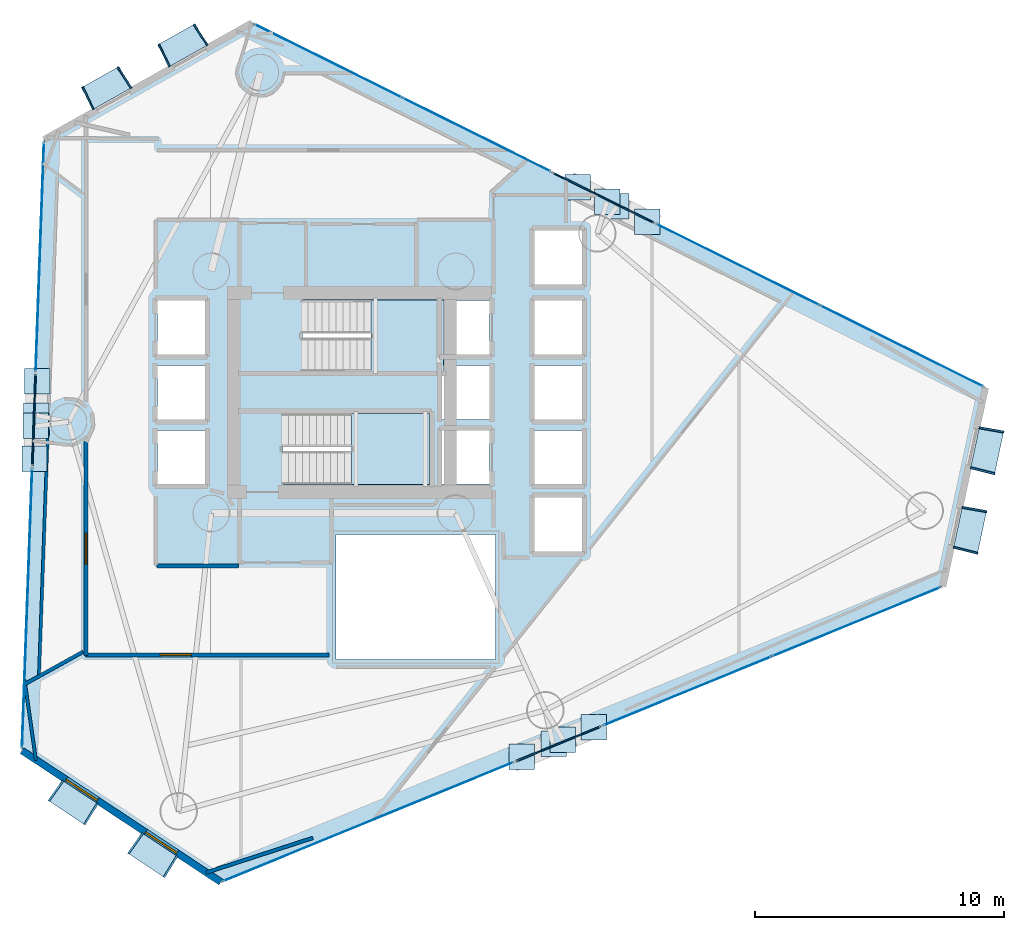
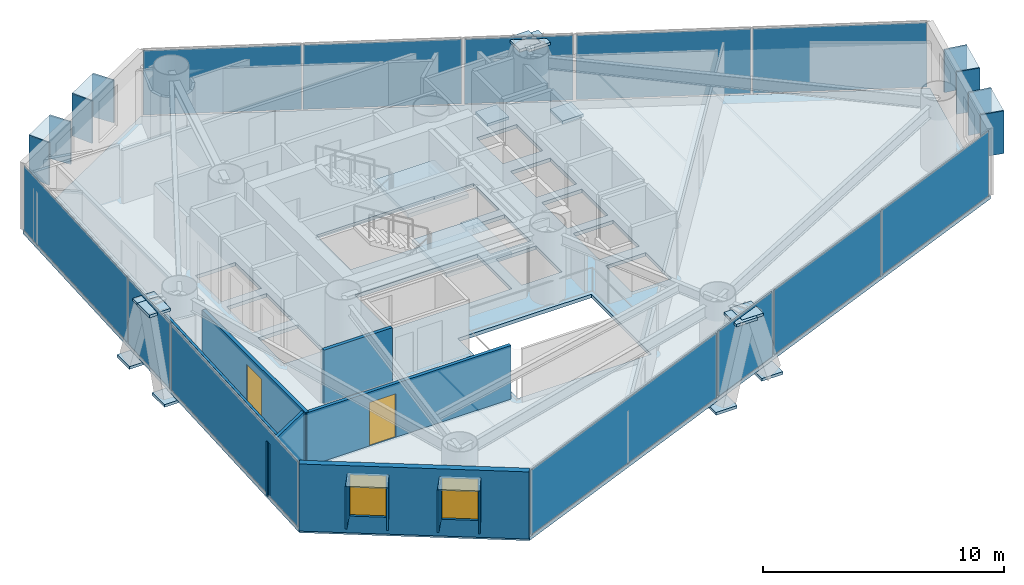
# One storey, part 16 of 22: 42 plates, 8 walls, 3 slabs, 2 doors, 2 windows, 4 openings, 11 elements without a shape of their own.
"""IFC4 building model written with IfcOpenShell, lengths in metres."""

from ifc_helpers import new_model, si_unit, direction, frame, frame_2d, origin, origin_2d, place, context, subcontext, project, spatial, polyline, rectangle, outline, extrude, material, layer, layer_set, type_object, element, fill, aggregate, save


model = new_model("IFC4")

# Units and contexts
model_context = context("Model", 3, precision=1e-05, world=origin(), true_north=direction((0.0, 1.0)))
body_context = subcontext(model_context, "Body", "Model", "MODEL_VIEW")
ifc_project = project(units=[si_unit("LENGTHUNIT", "METRE"), si_unit("AREAUNIT", "SQUARE_METRE"), si_unit("VOLUMEUNIT", "CUBIC_METRE"), si_unit("PLANEANGLEUNIT", "RADIAN"), si_unit("MASSUNIT", "GRAM", prefix="KILO")], contexts=[model_context])

# Site, building, storey
site_placement = place(None, origin())
site = spatial("IfcSite", under=ifc_project, at=site_placement, CompositionType="ELEMENT")
building_placement = place(site_placement, origin())
building = spatial("IfcBuilding", under=site, at=building_placement, Name="Qianvela Tower", CompositionType="ELEMENT")
storey_placement = place(building_placement, frame((0.0, 0.0, 134.800048828125)))
storey = spatial("IfcBuildingStorey", under=building, at=storey_placement, Name="L34", CompositionType="ELEMENT", Elevation=134.800048828125)

# Curtain wall, plate
ifc_material_1 = material(Name="Anodised Architectural Aluminium and Insulated Spandrel Panel", Category="aluminium")
ifc_layer_1 = layer(ifc_material_1, 0.179931640625)
ifc_layer_set_1 = layer_set([ifc_layer_1], Name="Anodised Architectural Aluminium and Insulated Spandrel Panel")
curtain_wall_type_1 = type_object("IfcCurtainWallType", Name="CW-BRACEBAY", PredefinedType="USERDEFINED", material=ifc_layer_set_1)
curtain_wall_1_placement = place(storey_placement, origin())
curtain_wall_1 = element("IfcCurtainWall", 1, at=curtain_wall_1_placement, inside=storey, type_object=curtain_wall_type_1, Name="L34 CW-BRACEBAY Curtain Wall 02B", ObjectType="CURTAIN_WALL_SYSTEM", PredefinedType="USERDEFINED")
ifc_material_2 = material(Name="Insulated Aluminium Spandrel Panel with Mineral-Wool Backpan", Category="aluminium")
ifc_layer_2 = layer(ifc_material_2, 0.06005859375)
ifc_layer_set_2 = layer_set([ifc_layer_2], Name="Insulated Aluminium Spandrel Panel with Mineral-Wool Backpan")
plate_type_1 = type_object("IfcPlateType", Name="CW-BRACEBAY-PNL", PredefinedType="CURTAIN_PANEL", material=ifc_layer_set_2)
plate_1_placement = place(storey_placement, frame((44.321533203125, 36.500244140625, 0.06494140625), z_axis=(0.0, 0.0, 1.0), x_axis=(-0.895454993127, 0.445152058609, 0.0)))
plate_1 = element("IfcPlate", 2, at=plate_1_placement, type_object=plate_type_1, Name="CW-9 panel 1.1", PredefinedType="CURTAIN_PANEL", context=body_context, shape_type="SweptSolid", body=[
    extrude(rectangle(XDim=4.510009765625, YDim=0.06005859375, at=origin_2d()), origin(), (0.0, 0.0, 1.0), 3.27001953125),
])
aggregate(curtain_wall_1, [plate_1])

curtain_wall_2_placement = place(storey_placement, origin())
curtain_wall_2 = element("IfcCurtainWall", 3, at=curtain_wall_2_placement, inside=storey, type_object=curtain_wall_type_1, Name="L34 CW-BRACEBAY Curtain Wall 04B", ObjectType="CURTAIN_WALL_SYSTEM", PredefinedType="USERDEFINED")
plate_2_placement = place(storey_placement, frame((21.4912109375, 27.591552734375, 0.06494140625), z_axis=(0.0, 0.0, 1.0), x_axis=(-0.036296385089, -0.99934106912, 0.0)))
plate_2 = element("IfcPlate", 4, at=plate_2_placement, type_object=plate_type_1, Name="CW-9 panel 1.1", PredefinedType="CURTAIN_PANEL", context=body_context, shape_type="SweptSolid", body=[
    extrude(rectangle(XDim=3.64990234375, YDim=0.06005859375, at=origin_2d()), origin(), (0.0, 0.0, 1.0), 3.27001953125),
])
aggregate(curtain_wall_2, [plate_2])

curtain_wall_3_placement = place(storey_placement, origin())
curtain_wall_3 = element("IfcCurtainWall", 5, at=curtain_wall_3_placement, inside=storey, type_object=curtain_wall_type_1, Name="L34 CW-BRACEBAY Curtain Wall 06B", ObjectType="CURTAIN_WALL_SYSTEM", PredefinedType="USERDEFINED")
plate_3_placement = place(storey_placement, frame((42.513427734375, 14.611328125, 0.06494140625), z_axis=(0.0, 0.0, 1.0), x_axis=(0.925389270903, 0.379018069883, 0.0)))
plate_3 = element("IfcPlate", 6, at=plate_3_placement, type_object=plate_type_1, Name="CW-9 panel 1.1", PredefinedType="CURTAIN_PANEL", context=body_context, shape_type="SweptSolid", body=[
    extrude(rectangle(XDim=3.650146484375, YDim=0.06005859375, at=origin_2d()), origin(), (0.0, 0.0, 1.0), 3.27001953125),
])
aggregate(curtain_wall_3, [plate_3])

# Curtain wall, plates
ifc_material_3 = material(Name="Anodised Architectural Aluminium and Low-E Glass", Category="aluminium")
ifc_layer_3 = layer(ifc_material_3, 0.169921875)
ifc_layer_set_3 = layer_set([ifc_layer_3], Name="Anodised Architectural Aluminium and Low-E Glass")
curtain_wall_type_2 = type_object("IfcCurtainWallType", Name="CW-COLIV-Z34", PredefinedType="USERDEFINED", material=ifc_layer_set_3)
curtain_wall_4_placement = place(storey_placement, origin())
curtain_wall_4 = element("IfcCurtainWall", 7, at=curtain_wall_4_placement, inside=storey, type_object=curtain_wall_type_2, Name="L34 CW-COLIV-Z34 Curtain Wall 02A", ObjectType="CURTAIN_WALL_SYSTEM", PredefinedType="USERDEFINED")
ifc_material_4 = material(Name="Double-Silver Low-E Insulated Glass", Category="glass")
ifc_layer_4 = layer(ifc_material_4, 0.028076171875)
ifc_layer_set_4 = layer_set([ifc_layer_4], Name="Double-Silver Low-E Insulated Glass")
plate_type_2 = type_object("IfcPlateType", Name="CW-COLIV-Z34-PNL", PredefinedType="CURTAIN_PANEL", material=ifc_layer_set_4)
plate_4_placement = place(storey_placement, frame((56.270263671875, 30.560302734375, 0.06494140625), z_axis=(0.0, 0.0, 1.0), x_axis=(-0.895456064023, 0.445149904419, 0.0)))
plate_4 = element("IfcPlate", 8, at=plate_4_placement, type_object=plate_type_2, Name="CW-4 panel 1.1", PredefinedType="CURTAIN_PANEL", context=body_context, shape_type="SweptSolid", body=[
    extrude(rectangle(XDim=7.262451171875, YDim=0.028076171875, at=origin_2d()), origin(), (0.0, 0.0, 1.0), 3.27001953125),
])
plate_5_placement = place(storey_placement, frame((49.708984375, 33.822021484375, 0.06494140625), z_axis=(0.0, 0.0, 1.0), x_axis=(-0.895456064023, 0.445149904419, 0.0)))
plate_5 = element("IfcPlate", 9, at=plate_5_placement, type_object=plate_type_2, Name="CW-4 panel 2.1", PredefinedType="CURTAIN_PANEL", context=body_context, shape_type="SweptSolid", body=[
    extrude(rectangle(XDim=7.262451171875, YDim=0.028076171875, at=origin_2d()), origin(), (0.0, 0.0, 1.0), 3.27001953125),
])
aggregate(curtain_wall_4, [plate_4, plate_5])

curtain_wall_5_placement = place(storey_placement, origin())
curtain_wall_5 = element("IfcCurtainWall", 10, at=curtain_wall_5_placement, inside=storey, type_object=curtain_wall_type_2, Name="L34 CW-COLIV-Z34 Curtain Wall 02C", ObjectType="CURTAIN_WALL_SYSTEM", PredefinedType="USERDEFINED")
plate_6_placement = place(storey_placement, frame((39.238525390625, 39.027099609375, 0.06494140625), z_axis=(0.0, 0.0, 1.0), x_axis=(-0.895457628831, 0.445146756664, 0.0)))
plate_6 = element("IfcPlate", 11, at=plate_6_placement, type_object=plate_type_2, Name="CW-4 panel 1.1", PredefinedType="CURTAIN_PANEL", context=body_context, shape_type="SweptSolid", body=[
    extrude(rectangle(XDim=6.583251953125, YDim=0.028076171875, at=origin_2d()), origin(), (0.0, 0.0, 1.0), 3.27001953125),
])
plate_7_placement = place(storey_placement, frame((33.285400390625, 41.986572265625, 0.06494140625), z_axis=(0.0, 0.0, 1.0), x_axis=(-0.895457628831, 0.445146756664, 0.0)))
plate_7 = element("IfcPlate", 12, at=plate_7_placement, type_object=plate_type_2, Name="CW-4 panel 2.1", PredefinedType="CURTAIN_PANEL", context=body_context, shape_type="SweptSolid", body=[
    extrude(rectangle(XDim=6.583251953125, YDim=0.028076171875, at=origin_2d()), origin(), (0.0, 0.0, 1.0), 3.27001953125),
])
aggregate(curtain_wall_5, [plate_6, plate_7])

# Curtain wall, plate
curtain_wall_6_placement = place(storey_placement, origin())
curtain_wall_6 = element("IfcCurtainWall", 13, at=curtain_wall_6_placement, inside=storey, type_object=curtain_wall_type_2, Name="L34 CW-COLIV-Z34 Curtain Wall 04A", ObjectType="CURTAIN_WALL_SYSTEM", PredefinedType="USERDEFINED")
plate_8_placement = place(storey_placement, frame((21.728515625, 34.127197265625, 0.06494140625), z_axis=(0.0, 0.0, 1.0), x_axis=(-0.03630134972, -0.99934088879, 0.0)))
plate_8 = element("IfcPlate", 14, at=plate_8_placement, type_object=plate_type_2, Name="CW-4 panel 1.1", PredefinedType="CURTAIN_PANEL", context=body_context, shape_type="SweptSolid", body=[
    extrude(rectangle(XDim=9.169921875, YDim=0.028076171875, at=origin_2d()), origin(), (0.0, 0.0, 1.0), 3.27001953125),
])
aggregate(curtain_wall_6, [plate_8])

curtain_wall_7_placement = place(storey_placement, origin())
curtain_wall_7 = element("IfcCurtainWall", 15, at=curtain_wall_7_placement, inside=storey, type_object=curtain_wall_type_2, Name="L34 CW-COLIV-Z34 Curtain Wall 04C", ObjectType="CURTAIN_WALL_SYSTEM", PredefinedType="USERDEFINED")
plate_9_placement = place(storey_placement, frame((21.21728515625, 20.047119140625, 0.06494140625), z_axis=(0.0, 0.0, 1.0), x_axis=(-0.036293416862, -0.999341176922, 0.0)))
plate_9 = element("IfcPlate", 16, at=plate_9_placement, type_object=plate_type_2, Name="CW-4 panel 1.1", PredefinedType="CURTAIN_PANEL", context=body_context, shape_type="SweptSolid", body=[
    extrude(rectangle(XDim=11.18896484375, YDim=0.028076171875, at=origin_2d()), origin(), (0.0, 0.0, 1.0), 3.27001953125),
])
aggregate(curtain_wall_7, [plate_9])

curtain_wall_8_placement = place(storey_placement, origin())
curtain_wall_8 = element("IfcCurtainWall", 17, at=curtain_wall_8_placement, inside=storey, type_object=curtain_wall_type_2, Name="L34 CW-COLIV-Z34 Curtain Wall 06A", ObjectType="CURTAIN_WALL_SYSTEM", PredefinedType="USERDEFINED")
plate_10_placement = place(storey_placement, frame((34.8974609375, 11.491943359375, 0.06494140625), z_axis=(0.0, 0.0, 1.0), x_axis=(0.925390222431, 0.379015746677, 0.0)))
plate_10 = element("IfcPlate", 18, at=plate_10_placement, type_object=plate_type_2, Name="CW-4 panel 1.1", PredefinedType="CURTAIN_PANEL", context=body_context, shape_type="SweptSolid", body=[
    extrude(rectangle(XDim=12.550048828125, YDim=0.028076171875, at=origin_2d()), origin(), (0.0, 0.0, 1.0), 3.27001953125),
])
aggregate(curtain_wall_8, [plate_10])

# Curtain wall, plates
curtain_wall_9_placement = place(storey_placement, origin())
curtain_wall_9 = element("IfcCurtainWall", 19, at=curtain_wall_9_placement, inside=storey, type_object=curtain_wall_type_2, Name="L34 CW-COLIV-Z34 Curtain Wall 06C", ObjectType="CURTAIN_WALL_SYSTEM", PredefinedType="USERDEFINED")
plate_11_placement = place(storey_placement, frame((47.67919921875, 16.72705078125, 0.06494140625), z_axis=(0.0, 0.0, 1.0), x_axis=(0.925387078817, 0.379023421912, 0.0)))
plate_11 = element("IfcPlate", 20, at=plate_11_placement, type_object=plate_type_2, Name="CW-4 panel 1.1", PredefinedType="CURTAIN_PANEL", context=body_context, shape_type="SweptSolid", body=[
    extrude(rectangle(XDim=7.25439453125, YDim=0.028076171875, at=origin_2d()), origin(), (0.0, 0.0, 1.0), 3.27001953125),
])
plate_12_placement = place(storey_placement, frame((54.452392578125, 19.501220703125, 0.06494140625), z_axis=(0.0, 0.0, 1.0), x_axis=(0.925387078817, 0.379023421912, 0.0)))
plate_12 = element("IfcPlate", 21, at=plate_12_placement, type_object=plate_type_2, Name="CW-4 panel 2.1", PredefinedType="CURTAIN_PANEL", context=body_context, shape_type="SweptSolid", body=[
    extrude(rectangle(XDim=7.25439453125, YDim=0.028076171875, at=origin_2d()), origin(), (0.0, 0.0, 1.0), 3.27001953125),
])
aggregate(curtain_wall_9, [plate_11, plate_12])

# Plates
ifc_material_5 = material(Name="Steel Q420GJC", Category="steel")
ifc_layer_5 = layer(ifc_material_5, 0.139892578125)
ifc_layer_set_5 = layer_set([ifc_layer_5], Name="Steel Q420GJC")
plate_type_3 = type_object("IfcPlateType", Name="PT-GUSSET-NODE-140", PredefinedType="USERDEFINED", material=ifc_layer_set_5)
for number, where, z_axis, x_axis, name in (
    (22, (46.0673828125, 35.54296875, -0.61279296875), (0.0, 0.0, 1.0), (1.0, 0.0, 0.0), "L34 Node Gusset Plate A"),
    (23, (44.831787109375, 36.1572265625, 3.0888671875), (0.0, 0.0, 1.0), (1.0, 0.0, 0.0), "L34 Node Gusset Plate B"),
    (24, (43.283203125, 36.927001953125, -0.61328125), (0.0, 0.0, 1.0), (1.0, 0.0, 0.0), "L34 Node Gusset Plate A"),
    (25, (44.477783203125, 36.3330078125, 3.08935546875), (0.0, 0.0, 1.0), (1.0, 0.0, 0.0), "L34 Node Gusset Plate B"),
    (26, (21.62744140625, 29.14013671875, -0.61279296875), (0.0, 0.0, 1.0), (1.0, 0.0, 0.0), "L34 Node Gusset Plate A"),
    (27, (21.577392578125, 27.7607421875, 3.0888671875), (0.0, 0.0, 1.0), (1.0, 0.0, 0.0), "L34 Node Gusset Plate B"),
    (28, (21.5146484375, 26.03271484375, -0.61328125), (0.0, 0.0, 1.0), (1.0, 0.0, 0.0), "L34 Node Gusset Plate A"),
    (29, (21.56298828125, 27.365478515625, 3.08935546875), (0.0, 0.0, 1.0), (1.0, 0.0, 0.0), "L34 Node Gusset Plate B"),
    (30, (41.044189453125, 14.095947265625, -0.61279296875), (0.0, 0.0, 1.0), (1.0, 0.0, 0.0), "L34 Node Gusset Plate A"),
    (31, (42.322509765625, 14.61962890625, 3.0888671875), (0.0, 0.0, 1.0), (1.0, 0.0, 0.0), "L34 Node Gusset Plate B"),
    (32, (43.921630859375, 15.2744140625, -0.61328125), (0.0, 0.0, 1.0), (1.0, 0.0, 0.0), "L34 Node Gusset Plate A"),
    (33, (42.688232421875, 14.76953125, 3.08935546875), (0.0, 0.0, 1.0), (1.0, 0.0, 0.0), "L34 Node Gusset Plate B"),
):
    element("IfcPlate", number, at=place(storey_placement, frame(where, z_axis=z_axis, x_axis=x_axis)), inside=storey, type_object=plate_type_3, Name=name, ObjectType="GUSSET_PLATE", PredefinedType="USERDEFINED", context=body_context, shape_type="SweptSolid", body=[
        extrude(rectangle(XDim=1.02001953125, YDim=1.02001953125, at=origin_2d()), origin(), (0.0, 0.0, 1.0), 0.139892578125),
    ])

# Slab
ifc_material_6 = material(Name="Concrete C40", Category="concrete")
ifc_layer_6 = layer(ifc_material_6, 0.179931640625)
ifc_layer_set_6 = layer_set([ifc_layer_6], Name="Concrete C40")
slab_type_1 = type_object("IfcSlabType", Name="SL-FLOOR-180", PredefinedType="FLOOR", material=ifc_layer_set_6)
slab_1_placement = place(storey_placement, frame((0.0, 0.0, -0.179931640625)))
element("IfcSlab", 34, at=slab_1_placement, inside=storey, type_object=slab_type_1, Name="L34 Composite Structural Floor Slab", PredefinedType="FLOOR", context=body_context, shape_type="SweptSolid", body=[
    extrude(outline(polyline([(57.915283203125, 20.919677734375), (59.625, 28.892578125), (30.23486328125, 43.5029296875), (21.899169921875, 38.82421875), (21.010009765625, 14.34130859375), (28.984375, 9.070068359375), (57.915283203125, 20.919677734375)]), holes=[polyline([(40.0, 23.0), (33.60009765625, 23.0), (33.60009765625, 18.0), (40.0, 18.0), (40.0, 23.0)]), polyline([(28.360107421875, 25.02001953125), (28.360107421875, 27.179931640625), (26.43994140625, 27.179931640625), (26.43994140625, 25.02001953125), (28.360107421875, 25.02001953125)]), polyline([(37.35009765625, 25.0), (37.35009765625, 27.860107421875), (31.469970703125, 27.860107421875), (31.469970703125, 25.0), (37.35009765625, 25.0)]), polyline([(28.360107421875, 27.6201171875), (28.360107421875, 29.780029296875), (26.43994140625, 29.780029296875), (26.43994140625, 27.6201171875), (28.360107421875, 27.6201171875)]), polyline([(37.89990234375, 32.3798828125), (37.89990234375, 32.39990234375), (32.25, 32.39990234375), (32.25, 29.5400390625), (37.840087890625, 29.5400390625), (37.840087890625, 27.6201171875), (39.760009765625, 27.6201171875), (39.760009765625, 29.780029296875), (37.89990234375, 29.780029296875), (37.89990234375, 30.219970703125), (39.760009765625, 30.219970703125), (39.760009765625, 32.3798828125), (37.89990234375, 32.3798828125)]), polyline([(28.360107421875, 30.219970703125), (28.360107421875, 32.3798828125), (26.43994140625, 32.3798828125), (26.43994140625, 30.219970703125), (28.360107421875, 30.219970703125)]), polyline([(43.4599609375, 24.47998046875), (41.5400390625, 24.47998046875), (41.5400390625, 22.320068359375), (43.4599609375, 22.320068359375), (43.4599609375, 24.47998046875)]), polyline([(39.760009765625, 25.02001953125), (39.760009765625, 27.179931640625), (37.840087890625, 27.179931640625), (37.840087890625, 25.02001953125), (39.760009765625, 25.02001953125)]), polyline([(43.4599609375, 25.02001953125), (43.4599609375, 27.179931640625), (41.5400390625, 27.179931640625), (41.5400390625, 25.02001953125), (43.4599609375, 25.02001953125)]), polyline([(43.4599609375, 27.6201171875), (43.4599609375, 29.780029296875), (41.5400390625, 29.780029296875), (41.5400390625, 27.6201171875), (43.4599609375, 27.6201171875)]), polyline([(43.4599609375, 30.219970703125), (43.4599609375, 32.3798828125), (41.5400390625, 32.3798828125), (41.5400390625, 30.219970703125), (43.4599609375, 30.219970703125)]), polyline([(43.4599609375, 33.02001953125), (43.4599609375, 35.179931640625), (41.5400390625, 35.179931640625), (41.5400390625, 33.02001953125), (43.4599609375, 33.02001953125)])]), origin(), (0.0, 0.0, 1.0), 0.179931640625),
])

# Stair, slab
ifc_material_7 = material(Name="Concrete C40", Category="concrete")
stair_type = type_object("IfcStairType", Name="ST-DOGLEG-1350-R168-N22", PredefinedType="HALF_TURN_STAIR", material=ifc_material_7)
stair_1_placement = place(storey_placement, origin())
stair_1 = element("IfcStair", 35, at=stair_1_placement, inside=storey, type_object=stair_type, Name="L34 Smoke-Proof Core Stair ST-1", PredefinedType="HALF_TURN_STAIR")
ifc_material_8 = material(Name="Concrete C40", Category="concrete")
ifc_layer_7 = layer(ifc_material_8, 0.199951171875)
ifc_layer_set_7 = layer_set([ifc_layer_7], Name="Concrete C40")
slab_type_2 = type_object("IfcSlabType", Name="SL-STAIR-LANDING-200", PredefinedType="LANDING", material=ifc_layer_set_7)
slab_2_placement = place(storey_placement, frame((0.0, 0.0, 1.64990234375)))
slab_2 = element("IfcSlab", 36, at=slab_2_placement, type_object=slab_type_2, Name="ST-1 landing 1", PredefinedType="LANDING", context=body_context, shape_type="SweptSolid", body=[
    extrude(outline(polyline([(35.0, 29.5400390625), (37.89990234375, 29.5400390625), (37.89990234375, 32.39990234375), (35.0, 32.39990234375), (35.0, 29.5400390625)])), origin(), (0.0, 0.0, 1.0), 0.199951171875),
])
aggregate(stair_1, [slab_2])

stair_2_placement = place(storey_placement, origin())
stair_2 = element("IfcStair", 37, at=stair_2_placement, inside=storey, type_object=stair_type, Name="L34 Smoke-Proof Core Stair ST-2", PredefinedType="HALF_TURN_STAIR")
slab_3_placement = place(storey_placement, frame((0.0, 0.0, 1.64990234375)))
slab_3 = element("IfcSlab", 38, at=slab_3_placement, type_object=slab_type_2, Name="ST-2 landing 1", PredefinedType="LANDING", context=body_context, shape_type="SweptSolid", body=[
    extrude(outline(polyline([(34.219970703125, 25.0), (37.35009765625, 25.0), (37.35009765625, 27.860107421875), (34.219970703125, 27.860107421875), (34.219970703125, 25.0)])), origin(), (0.0, 0.0, 1.0), 0.199951171875),
])
aggregate(stair_2, [slab_3])

# Plates
ifc_material_9 = material(Name="Vitrified Architectural Terracotta Panel", Category="masonry")
ifc_layer_8 = layer(ifc_material_9, 0.06005859375)
ifc_layer_set_8 = layer_set([ifc_layer_8], Name="Vitrified Architectural Terracotta Panel")
plate_type_4 = type_object("IfcPlateType", Name="TERRACOTTA-SUNSHADE-HOOD-FOLD-A", PredefinedType="USERDEFINED", material=ifc_layer_set_8)
for number, where, z_axis, x_axis, name in (
    (39, (27.44287109375, 42.6181640625, 2.9599609375), (0.0, 0.0, 1.0), (-0.872016311049, -0.48947681586, 0.0), "L34 Terracotta Sunshade Hood FOLD-A"),
    (40, (24.3876953125, 40.9033203125, 2.9599609375), (0.0, 0.0, 1.0), (-0.872016311049, -0.48947681586, 0.0), "L34 Terracotta Sunshade Hood FOLD-A"),
):
    element("IfcPlate", number, at=place(storey_placement, frame(where, z_axis=z_axis, x_axis=x_axis)), inside=storey, type_object=plate_type_4, Name=name, ObjectType="SUNSHADE", PredefinedType="USERDEFINED", context=body_context, shape_type="SweptSolid", body=[
        extrude(rectangle(XDim=1.739990234375, YDim=0.989990234375, at=origin_2d()), origin(), (0.0, 0.0, 1.0), 0.06005859375),
    ])
ifc_material_10 = material(Name="Vitrified Architectural Terracotta Panel", Category="masonry")
ifc_layer_9 = layer(ifc_material_10, 0.070068359375)
ifc_layer_set_9 = layer_set([ifc_layer_9], Name="Vitrified Architectural Terracotta Panel")
plate_type_5 = type_object("IfcPlateType", Name="TERRACOTTA-SUNSHADE-HOOD-FOLD-C", PredefinedType="USERDEFINED", material=ifc_layer_set_9)
for number, where, z_axis, x_axis, name in (
    (41, (59.010009765625, 23.186767578125, 2.9599609375), (0.0, 0.0, 1.0), (0.209674878828, 0.977771161974, 0.0), "L34 Terracotta Sunshade Hood FOLD-C"),
    (42, (59.69384765625, 26.3759765625, 2.9599609375), (0.0, 0.0, 1.0), (0.209674878828, 0.977771161974, 0.0), "L34 Terracotta Sunshade Hood FOLD-C"),
    (43, (23.07421875, 12.263671875, 2.9599609375), (0.0, 0.0, 1.0), (0.834212238778, -0.55144350633, 0.0), "L34 Terracotta Sunshade Hood FOLD-C"),
    (44, (26.263916015625, 10.155029296875, 2.9599609375), (0.0, 0.0, 1.0), (0.834212238778, -0.55144350633, 0.0), "L34 Terracotta Sunshade Hood FOLD-C"),
):
    element("IfcPlate", number, at=place(storey_placement, frame(where, z_axis=z_axis, x_axis=x_axis)), inside=storey, type_object=plate_type_5, Name=name, ObjectType="SUNSHADE", PredefinedType="USERDEFINED", context=body_context, shape_type="SweptSolid", body=[
        extrude(rectangle(XDim=1.739990234375, YDim=0.989990234375, at=origin_2d()), origin(), (0.0, 0.0, 1.0), 0.06005859375),
    ])
ifc_material_11 = material(Name="Vitrified Architectural Terracotta Side Fin Panel", Category="masonry")
ifc_layer_10 = layer(ifc_material_11, 0.06494140625)
ifc_layer_set_10 = layer_set([ifc_layer_10], Name="Vitrified Architectural Terracotta Side Fin Panel")
plate_type_6 = type_object("IfcPlateType", Name="TERRACOTTA-SUNSHADE-STRUT-FOLD-A", PredefinedType="USERDEFINED", material=ifc_layer_set_10)
for number, where, z_axis, x_axis, name in (
    (45, (28.17529296875, 43.029296875, 0.85009765625), (0.0, 0.0, 1.0), (-0.835747946489, -0.549113257844, 0.0), "L34 Terracotta Sunshade Side Fin HL FOLD-A"),
    (46, (26.71044921875, 42.20703125, 0.85009765625), (0.0, 0.0, 1.0), (-0.904036299797, -0.427455692032, 0.0), "L34 Terracotta Sunshade Side Fin HR FOLD-A"),
    (47, (25.1201171875, 41.314453125, 0.85009765625), (0.0, 0.0, 1.0), (-0.835747946489, -0.549113257844, 0.0), "L34 Terracotta Sunshade Side Fin HL FOLD-A"),
    (48, (23.6552734375, 40.4921875, 0.85009765625), (0.0, 0.0, 1.0), (-0.904036299797, -0.427455692032, 0.0), "L34 Terracotta Sunshade Side Fin HR FOLD-A"),
):
    element("IfcPlate", number, at=place(storey_placement, frame(where, z_axis=z_axis, x_axis=x_axis)), inside=storey, type_object=plate_type_6, Name=name, ObjectType="SUNSHADE", PredefinedType="USERDEFINED", context=body_context, shape_type="SweptSolid", body=[
        extrude(rectangle(XDim=0.06494140625, YDim=1.010009765625, at=origin_2d()), origin(), (0.0, 0.0, 1.0), 2.159912109375),
    ])
ifc_material_12 = material(Name="Vitrified Architectural Terracotta Side Fin Panel", Category="masonry")
ifc_layer_11 = layer(ifc_material_12, 0.074951171875)
ifc_layer_set_11 = layer_set([ifc_layer_11], Name="Vitrified Architectural Terracotta Side Fin Panel")
plate_type_7 = type_object("IfcPlateType", Name="TERRACOTTA-SUNSHADE-STRUT-FOLD-C", PredefinedType="USERDEFINED", material=ifc_layer_set_11)
for number, where, z_axis, x_axis, name in (
    (49, (58.833984375, 22.365478515625, 0.85009765625), (0.0, 0.0, 1.0), (0.243670872, 0.969857982459, 0.0), "L34 Terracotta Sunshade Side Fin HL FOLD-C"),
    (50, (59.18603515625, 24.008056640625, 0.85009765625), (0.0, 0.0, 1.0), (0.175423429114, 0.984493077943, 0.0), "L34 Terracotta Sunshade Side Fin HR FOLD-C"),
    (51, (59.517578125, 25.5546875, 0.85009765625), (0.0, 0.0, 1.0), (0.243670872, 0.969857982459, 0.0), "L34 Terracotta Sunshade Side Fin HL FOLD-C"),
    (52, (59.8701171875, 27.197265625, 0.85009765625), (0.0, 0.0, 1.0), (0.175423429114, 0.984493077943, 0.0), "L34 Terracotta Sunshade Side Fin HR FOLD-C"),
    (53, (22.373291015625, 12.726806640625, 0.85009765625), (0.0, 0.0, 1.0), (0.814458958391, -0.580221169122, 0.0), "L34 Terracotta Sunshade Side Fin HL FOLD-C"),
    (54, (23.77490234375, 11.80029296875, 0.85009765625), (0.0, 0.0, 1.0), (0.852949160052, -0.521993994569, 0.0), "L34 Terracotta Sunshade Side Fin HR FOLD-C"),
    (55, (25.563232421875, 10.618408203125, 0.85009765625), (0.0, 0.0, 1.0), (0.814458958391, -0.580221169122, 0.0), "L34 Terracotta Sunshade Side Fin HL FOLD-C"),
    (56, (26.964599609375, 9.69189453125, 0.85009765625), (0.0, 0.0, 1.0), (0.852949160052, -0.521993994569, 0.0), "L34 Terracotta Sunshade Side Fin HR FOLD-C"),
):
    element("IfcPlate", number, at=place(storey_placement, frame(where, z_axis=z_axis, x_axis=x_axis)), inside=storey, type_object=plate_type_7, Name=name, ObjectType="SUNSHADE", PredefinedType="USERDEFINED", context=body_context, shape_type="SweptSolid", body=[
        extrude(rectangle(XDim=0.074951171875, YDim=1.010009765625, at=origin_2d()), origin(), (0.0, 0.0, 1.0), 2.159912109375),
    ])

# Wall, openings, windows
ifc_material_13 = material(Name="Terracotta Cladding on Concrete C40", Category="masonry")
ifc_layer_12 = layer(ifc_material_13, 0.280029296875)
ifc_layer_set_12 = layer_set([ifc_layer_12], Name="Terracotta Cladding on Concrete C40")
wall_type_1 = type_object("IfcWallType", Name="TERRACOTTA-WALL-280", PredefinedType="SOLIDWALL", material=ifc_layer_set_12)
wall_1_placement = place(storey_placement, frame((21.010009765625, 14.34130859375, 0.0), z_axis=(0.0, 0.0, 1.0), x_axis=(0.834216785039, -0.551436628778, 0.0)))
wall_1 = element("IfcWall", 57, at=wall_1_placement, inside=storey, type_object=wall_type_1, Name="L34 Terracotta Chamfer Facet Wall 5", PredefinedType="SOLIDWALL", context=body_context, shape_type="SweptSolid", body=[
    extrude(rectangle(XDim=9.55908203125, YDim=0.280029296875, at=frame_2d((4.779541015625, 0.0))), origin(), (0.0, 0.0, 1.0), 3.39990234375),
])
opening_1_placement = place(wall_1_placement, frame((2.11767578125, 0.0, 0.85009765625)))
opening_1 = element("IfcOpeningElement", 58, at=opening_1_placement, cuts=wall_1, Name="Opening W-02", PredefinedType="OPENING", context=body_context, shape_type="SweptSolid", body=[
    extrude(rectangle(XDim=1.5, YDim=2.10009765625, at=frame_2d((0.75, 1.050048828125))), frame((0.0, 0.14990234375, 0.0), z_axis=(0.0, -1.0, 0.0), x_axis=(1.0, 0.0, 0.0)), (0.0, 0.0, 1.0), 0.300048828125),
])
opening_2_placement = place(wall_1_placement, frame((5.94140625, 0.0, 0.85009765625)))
opening_2 = element("IfcOpeningElement", 59, at=opening_2_placement, cuts=wall_1, Name="Opening W-02", PredefinedType="OPENING", context=body_context, shape_type="SweptSolid", body=[
    extrude(rectangle(XDim=1.5, YDim=2.10009765625, at=frame_2d((0.75, 1.050048828125))), frame((0.0, 0.14990234375, 0.0), z_axis=(0.0, -1.0, 0.0), x_axis=(1.0, 0.0, 0.0)), (0.0, 0.0, 1.0), 0.300048828125),
])
ifc_material_14 = material(Name="Thermally Broken Aluminium and Low-E Glass", Category="aluminium")
window_type = type_object("IfcWindowType", Name="WIN-TC-1500x2100", PartitioningType="DOUBLE_PANEL_VERTICAL", PredefinedType="WINDOW", material=ifc_material_14)
window_1_placement = place(opening_1_placement, origin())
window_1 = element("IfcWindow", 60, at=window_1_placement, inside=storey, type_object=window_type, Name="L34 Chamfer Facet Window 5.1", OverallHeight=2.10009765625, OverallWidth=1.5, PartitioningType="SINGLE_PANEL", PredefinedType="WINDOW", context=body_context, shape_type="SweptSolid", body=[
    extrude(rectangle(XDim=1.5, YDim=2.10009765625, at=frame_2d((0.75, 1.050048828125))), frame((0.0, 0.030029296875, 0.0), z_axis=(0.0, -1.0, 0.0), x_axis=(1.0, 0.0, 0.0)), (0.0, 0.0, 1.0), 0.06005859375),
])
fill(opening_1, window_1)
window_2_placement = place(opening_2_placement, origin())
window_2 = element("IfcWindow", 61, at=window_2_placement, inside=storey, type_object=window_type, Name="L34 Chamfer Facet Window 5.2", OverallHeight=2.10009765625, OverallWidth=1.5, PartitioningType="SINGLE_PANEL", PredefinedType="WINDOW", context=body_context, shape_type="SweptSolid", body=[
    extrude(rectangle(XDim=1.5, YDim=2.10009765625, at=frame_2d((0.75, 1.050048828125))), frame((0.0, 0.030029296875, 0.0), z_axis=(0.0, -1.0, 0.0), x_axis=(1.0, 0.0, 0.0)), (0.0, 0.0, 1.0), 0.06005859375),
])
fill(opening_2, window_2)

# Wall
ifc_material_15 = material(Name="Fire-Rated Gypsum and Concrete Block", Category="concrete")
ifc_layer_13 = layer(ifc_material_15, 0.159912109375)
ifc_layer_set_13 = layer_set([ifc_layer_13], Name="Fire-Rated Gypsum and Concrete Block")
wall_type_2 = type_object("IfcWallType", Name="WT-CORR-160", PredefinedType="PARTITIONING", material=ifc_layer_set_13)
wall_2_placement = place(storey_placement, frame((26.419921875, 21.7490234375, 0.0), z_axis=(0.0, 0.0, 1.0), x_axis=(1.0, 0.0, 0.0)))
element("IfcWall", 62, at=wall_2_placement, inside=storey, type_object=wall_type_2, Name="L34 Partition 46 seg 1", PredefinedType="PARTITIONING", context=body_context, shape_type="SweptSolid", body=[
    extrude(rectangle(XDim=3.280029296875, YDim=0.159912109375, at=frame_2d((1.64013671875, 0.0))), origin(), (0.0, 0.0, 1.0), 2.719970703125),
])

# Wall, opening, door
wall_3_placement = place(storey_placement, frame((33.320068359375, 18.180908203125, 0.0), z_axis=(0.0, 0.0, 1.0), x_axis=(-1.0, 0.0, 0.0)))
wall_3 = element("IfcWall", 63, at=wall_3_placement, inside=storey, type_object=wall_type_2, Name="L34 Partition 47", PredefinedType="PARTITIONING", context=body_context, shape_type="SweptSolid", body=[
    extrude(rectangle(XDim=9.77001953125, YDim=0.159912109375, at=frame_2d((4.885009765625, 0.0))), origin(), (0.0, 0.0, 1.0), 2.719970703125),
])
opening_3_placement = place(wall_3_placement, frame((5.52001953125, 0.0, 0.0)))
opening_3 = element("IfcOpeningElement", 64, at=opening_3_placement, cuts=wall_3, Name="Opening D-LG1", PredefinedType="OPENING", context=body_context, shape_type="SweptSolid", body=[
    extrude(rectangle(XDim=1.25, YDim=2.199951171875, at=frame_2d((0.625, 1.10009765625))), frame((0.0, 0.08984375, 0.0), z_axis=(0.0, -1.0, 0.0), x_axis=(1.0, 0.0, 0.0)), (0.0, 0.0, 1.0), 0.179931640625),
])
ifc_material_16 = material(Name="Anodised Aluminium Acoustic Glass Door", Category="aluminium")
door_type = type_object("IfcDoorType", Name="DT-LOUNGE-1250", OperationType="NOTDEFINED", PredefinedType="DOOR", material=ifc_material_16)
door_1_placement = place(opening_3_placement, origin())
door_1 = element("IfcDoor", 65, at=door_1_placement, inside=storey, type_object=door_type, Name="L34 Door Panoramic Study Lounge L34-04B to L34 Floor Corridor", OperationType="SINGLE_SWING_RIGHT", OverallHeight=2.199951171875, OverallWidth=1.25, PredefinedType="DOOR", context=body_context, shape_type="SweptSolid", body=[
    extrude(rectangle(XDim=1.25, YDim=2.199951171875, at=frame_2d((0.625, 1.10009765625))), frame((0.0, 0.02490234375, 0.0), z_axis=(0.0, -1.0, 0.0), x_axis=(1.0, 0.0, 0.0)), (0.0, 0.0, 1.0), 0.050048828125),
])
fill(opening_3, door_1)

wall_4_placement = place(storey_placement, frame((23.5810546875, 18.14990234375, 0.0), z_axis=(0.0, 0.0, 1.0), x_axis=(0.0, 1.0, 0.0)))
wall_4 = element("IfcWall", 66, at=wall_4_placement, inside=storey, type_object=wall_type_2, Name="L34 Partition 48", PredefinedType="PARTITIONING", context=body_context, shape_type="SweptSolid", body=[
    extrude(rectangle(XDim=8.575439453125, YDim=0.159912109375, at=frame_2d((4.28759765625, 0.0))), origin(), (0.0, 0.0, 1.0), 2.719970703125),
])
opening_4_placement = place(wall_4_placement, frame((3.66259765625, 0.0, 0.0)))
opening_4 = element("IfcOpeningElement", 67, at=opening_4_placement, cuts=wall_4, Name="Opening D-LG1", PredefinedType="OPENING", context=body_context, shape_type="SweptSolid", body=[
    extrude(rectangle(XDim=1.25, YDim=2.199951171875, at=frame_2d((0.625, 1.10009765625))), frame((0.0, 0.08984375, 0.0), z_axis=(0.0, -1.0, 0.0), x_axis=(1.0, 0.0, 0.0)), (0.0, 0.0, 1.0), 0.179931640625),
])
door_2_placement = place(opening_4_placement, origin())
door_2 = element("IfcDoor", 68, at=door_2_placement, inside=storey, type_object=door_type, Name="L34 Door Panoramic Study Lounge L34-01 to L34 Floor Corridor", OperationType="SINGLE_SWING_LEFT", OverallHeight=2.199951171875, OverallWidth=1.25, PredefinedType="DOOR", context=body_context, shape_type="SweptSolid", body=[
    extrude(rectangle(XDim=1.25, YDim=2.199951171875, at=frame_2d((0.625, 1.10009765625))), frame((0.0, 0.02490234375, 0.0), z_axis=(0.0, -1.0, 0.0), x_axis=(1.0, 0.0, 0.0)), (0.0, 0.0, 1.0), 0.050048828125),
])
fill(opening_4, door_2)

# Walls
ifc_material_17 = material(Name="Insulated Gypsum Stud Partition")
ifc_layer_14 = layer(ifc_material_17, 0.1201171875)
ifc_layer_set_14 = layer_set([ifc_layer_14], Name="Insulated Gypsum Stud Partition")
wall_type_3 = type_object("IfcWallType", Name="WT-PART-120", PredefinedType="PARTITIONING", material=ifc_layer_set_14)
wall_5_placement = place(storey_placement, frame((21.692626953125, 17.267578125, 0.0), z_axis=(0.0, 0.0, 1.0), x_axis=(0.036303985609, 0.999340793038, 0.0)))
element("IfcWall", 69, at=wall_5_placement, inside=storey, type_object=wall_type_3, Name="L34 Partition 53", PredefinedType="PARTITIONING", context=body_context, shape_type="SweptSolid", body=[
    extrude(rectangle(XDim=9.952880859375, YDim=0.1201171875, at=frame_2d((4.9765625, 0.0))), origin(), (0.0, 0.0, 1.0), 2.719970703125),
])
wall_6_placement = place(storey_placement, frame((21.572265625, 13.94921875, 0.0), z_axis=(0.0, 0.0, 1.0), x_axis=(-0.140136959189, 0.990132128895, 0.0)))
element("IfcWall", 70, at=wall_6_placement, inside=storey, type_object=wall_type_3, Name="L34 Partition 92", PredefinedType="PARTITIONING", context=body_context, shape_type="SweptSolid", body=[
    extrude(rectangle(XDim=3.2734375, YDim=0.1201171875, at=frame_2d((1.63671875, 0.0))), origin(), (0.0, 0.0, 1.0), 2.719970703125),
])
ifc_material_18 = material(Name="Acoustic Double Gypsum Stud Partition")
ifc_layer_15 = layer(ifc_material_18, 0.139892578125)
ifc_layer_set_15 = layer_set([ifc_layer_15], Name="Acoustic Double Gypsum Stud Partition")
wall_type_4 = type_object("IfcWallType", Name="WT-ROOM-140", PredefinedType="PARTITIONING", material=ifc_layer_set_15)
wall_7_placement = place(storey_placement, frame((23.455078125, 18.298095703125, 0.0), z_axis=(0.0, 0.0, 1.0), x_axis=(-0.874671872236, -0.484715499977, 0.0)))
element("IfcWall", 71, at=wall_7_placement, inside=storey, type_object=wall_type_4, Name="L34 Partition 52", PredefinedType="PARTITIONING", context=body_context, shape_type="SweptSolid", body=[
    extrude(rectangle(XDim=2.705322265625, YDim=0.139892578125, at=frame_2d((1.3525390625, 0.0))), origin(), (0.0, 0.0, 1.0), 2.719970703125),
])
wall_8_placement = place(storey_placement, frame((32.676025390625, 10.841552734375, 0.0), z_axis=(0.0, 0.0, 1.0), x_axis=(-0.951031683132, -0.309093412546, 0.0)))
element("IfcWall", 72, at=wall_8_placement, inside=storey, type_object=wall_type_4, Name="L34 Partition 97 seg 1", PredefinedType="PARTITIONING", context=body_context, shape_type="SweptSolid", body=[
    extrude(rectangle(XDim=4.512451171875, YDim=0.139892578125, at=frame_2d((2.25634765625, 0.0))), origin(), (0.0, 0.0, 1.0), 2.719970703125),
])

save(model, "model.ifc")
